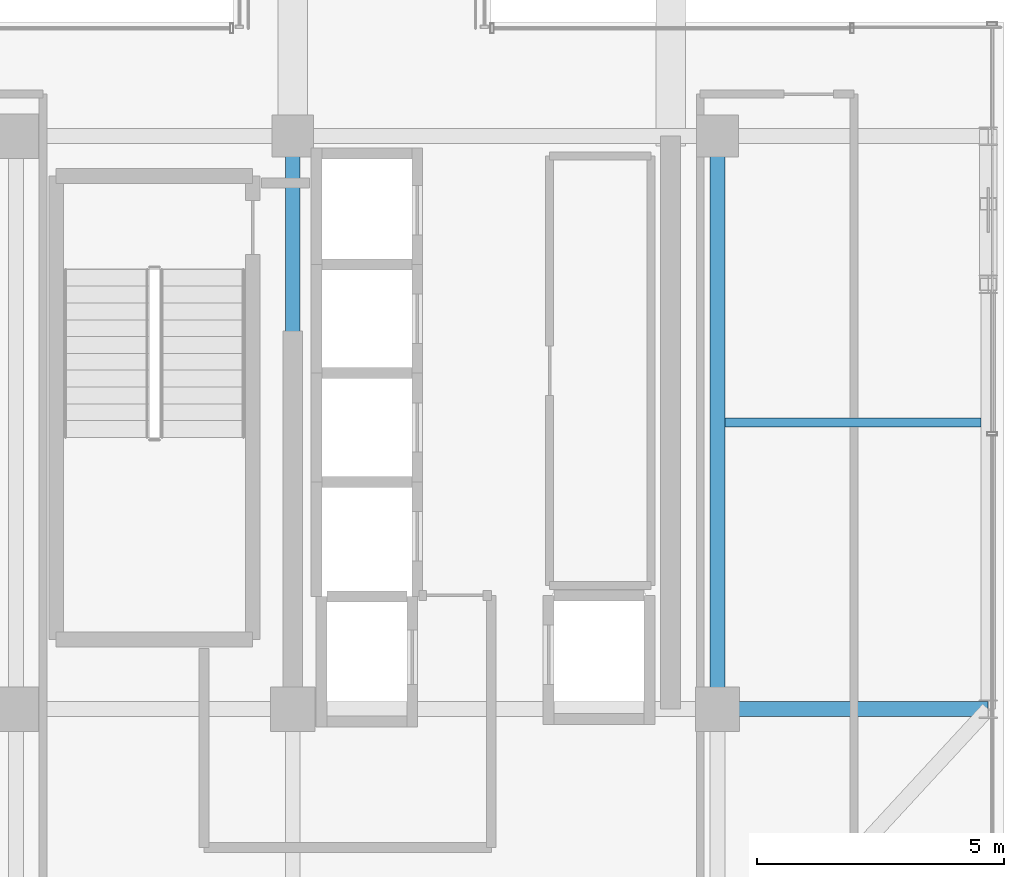
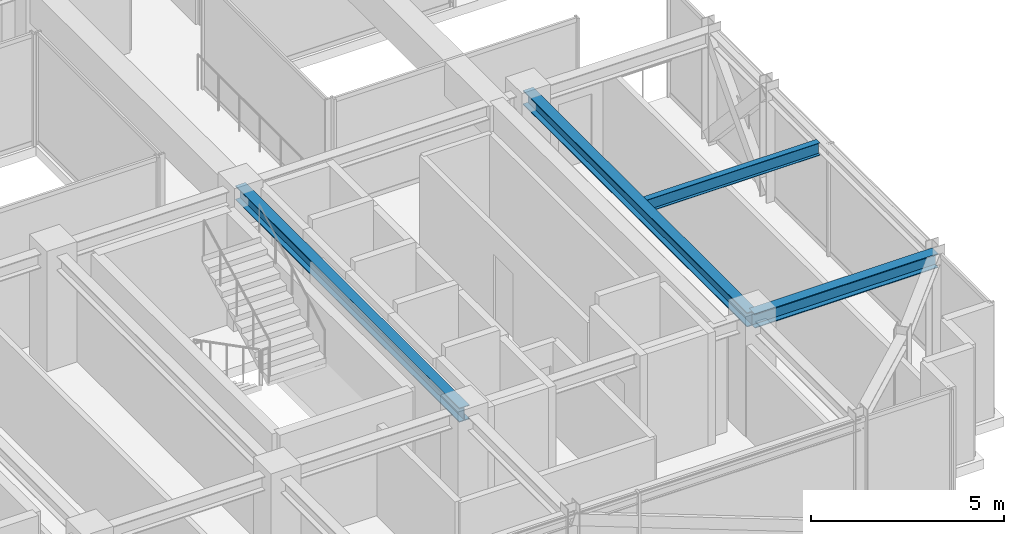
# One storey, part 15 of 37: 4 beams.
"""IFC4 building model written with IfcOpenShell, lengths in metres."""

from ifc_helpers import new_model, si_unit, direction, frame, origin, origin_2d, place, context, subcontext, project, spatial, i_section, extrude, source, transform, mapped, material, material_profile, profile_set, type_object, element, save


model = new_model("IFC4")

# Units and contexts
model_context = context("Model", 3, precision=1e-05, world=origin(), true_north=direction((0.0, 1.0)))
body_context = subcontext(model_context, "Body", "Model", "MODEL_VIEW")
ifc_project = project(units=[si_unit("LENGTHUNIT", "METRE"), si_unit("AREAUNIT", "SQUARE_METRE"), si_unit("VOLUMEUNIT", "CUBIC_METRE"), si_unit("PLANEANGLEUNIT", "RADIAN"), si_unit("MASSUNIT", "GRAM", prefix="KILO")], contexts=[model_context])

# Site, building, storey
site_placement = place(None, origin())
site = spatial("IfcSite", under=ifc_project, at=site_placement, CompositionType="ELEMENT")
building_placement = place(site_placement, origin())
building = spatial("IfcBuilding", under=site, at=building_placement, Name="Nahalor Promenade Grand Hotel", CompositionType="ELEMENT")
storey_placement = place(building_placement, frame((0.0, 0.0, 308.050048828125)))
storey = spatial("IfcBuildingStorey", under=building, at=storey_placement, Name="L79", CompositionType="ELEMENT", Elevation=308.050048828125)

# Beams
ifc_material = material(Name="Steel S355JR", Category="steel")
ifc_material_profile_1 = material_profile(ifc_material, i_section(OverallWidth=0.3, OverallDepth=0.45, WebThickness=0.014, FlangeThickness=0.026, at=origin_2d()), Name="HEB 450")
ifc_profile_set_1 = profile_set([ifc_material_profile_1], Name="Steel S355JR")
beam_type_1 = type_object("IfcBeamType", Name="Beam-Girder-HEB450", PredefinedType="BEAM", material=ifc_profile_set_1)
shared_shape_1 = source(origin(), body_context, "Body", "SweptSolid", [
    extrude(i_section(OverallWidth=0.3, OverallDepth=0.45, WebThickness=0.014, FlangeThickness=0.026, at=origin_2d()), origin(), (0.0, 0.0, 1.0), 11.60009765625),
])
for number, where, z_axis, x_axis, name in (
    (1, (8.39990234375, -17.0, 3.324951171875), (0.0, 1.0, 0.0), (-1.0, 0.0, 0.0), "BM-L79-GY-4-1"),
    (2, (17.0, -17.0, 3.324951171875), (0.0, 1.0, 0.0), (-1.0, 0.0, 0.0), "BM-L79-GY-5-1"),
):
    element("IfcBeam", number, at=place(storey_placement, frame(where, z_axis=z_axis, x_axis=x_axis)), inside=storey, type_object=beam_type_1, Name=name, PredefinedType="BEAM", context=body_context, shape_type="MappedRepresentation", body=[
        mapped(shared_shape_1, transform((0.0, 0.0, 0.0), scale=1.0)),
    ])
shared_shape_2 = source(origin(), body_context, "Body", "SweptSolid", [
    extrude(i_section(OverallWidth=0.3, OverallDepth=0.45, WebThickness=0.014, FlangeThickness=0.026, at=origin_2d()), origin(), (0.0, 0.0, 1.0), 5.47998046875),
])
beam_1_placement = place(storey_placement, frame((17.0, -17.0, 3.324951171875), z_axis=(1.0, 0.0, 0.0), x_axis=(0.0, 1.0, 0.0)))
element("IfcBeam", 3, at=beam_1_placement, inside=storey, type_object=beam_type_1, Name="BM-L79-GX-0-6", PredefinedType="BEAM", context=body_context, shape_type="MappedRepresentation", body=[
    mapped(shared_shape_2, transform((0.0, 0.0, 0.0), scale=1.0)),
])
ifc_material_profile_2 = material_profile(ifc_material, i_section(OverallWidth=0.18, OverallDepth=0.4, WebThickness=0.0086, FlangeThickness=0.0135, at=origin_2d()), Name="IPE 400")
ifc_profile_set_2 = profile_set([ifc_material_profile_2], Name="Steel S355JR")
beam_type_2 = type_object("IfcBeamType", Name="Beam-Joist-IPE400", PredefinedType="JOIST", material=ifc_profile_set_2)
shared_shape_3 = source(origin(), body_context, "Body", "SweptSolid", [
    extrude(i_section(OverallWidth=0.18, OverallDepth=0.4, WebThickness=0.0086, FlangeThickness=0.0135, at=origin_2d()), origin(), (0.0, 0.0, 1.0), 5.18017578125),
])
beam_2_placement = place(storey_placement, frame((17.14990234375, -11.199951171875, 3.349853515625), z_axis=(1.0, 0.0, 0.0), x_axis=(0.0, 1.0, 0.0)))
element("IfcBeam", 4, at=beam_2_placement, inside=storey, type_object=beam_type_2, Name="BM-L79-JSE-0-2", PredefinedType="JOIST", context=body_context, shape_type="MappedRepresentation", body=[
    mapped(shared_shape_3, transform((0.0, 0.0, 0.0), scale=1.0)),
])

save(model, "model.ifc")
